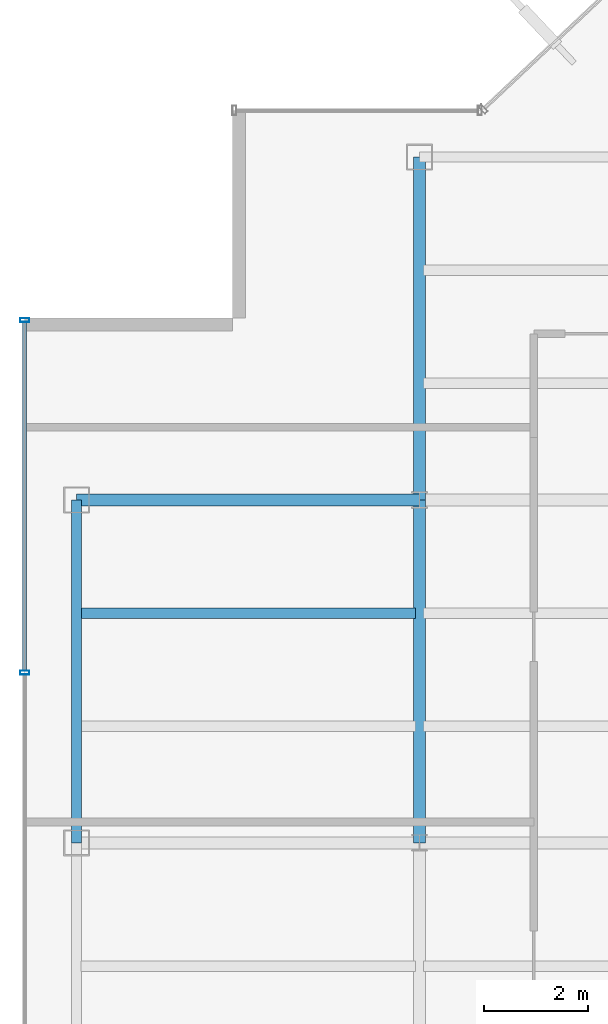
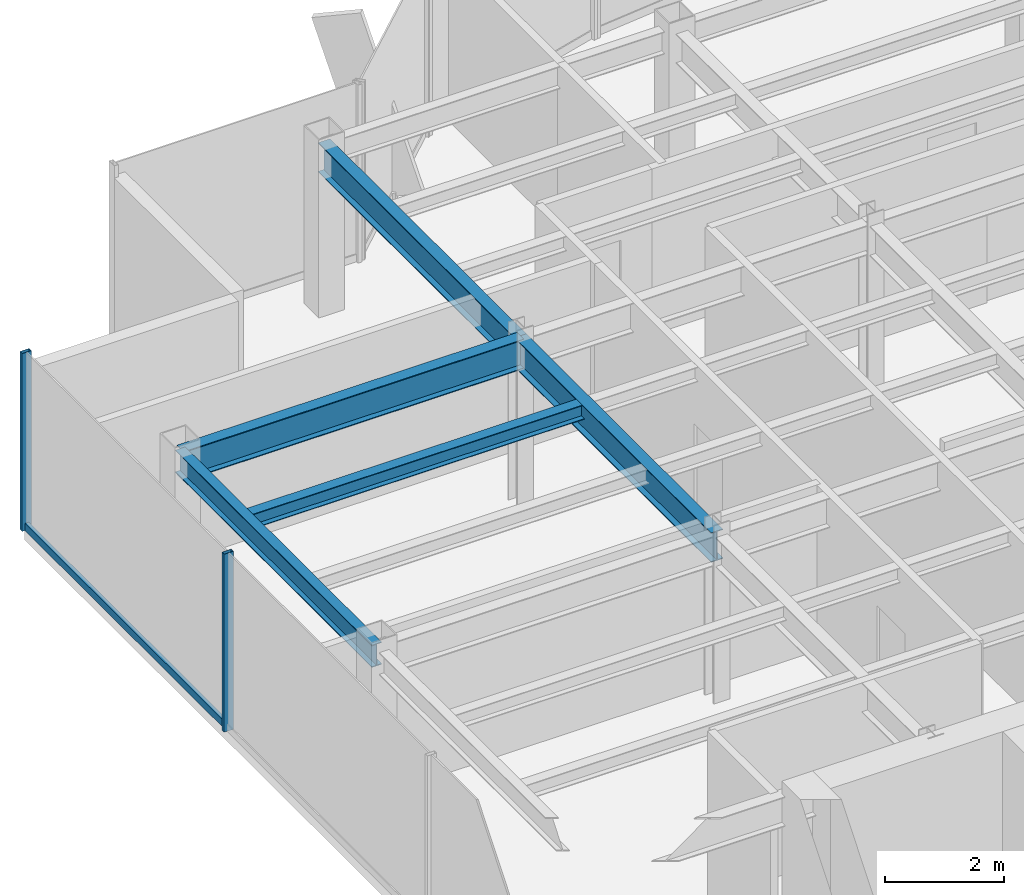
# One storey, part 7 of 22: 5 beams, 3 members, 1 element without a shape of its own.
"""IFC4 building model written with IfcOpenShell, lengths in metres."""

from ifc_helpers import new_model, si_unit, derived_unit, direction, frame, origin, origin_2d, place, context, subcontext, project, spatial, hollow_rectangle, i_section, extrude, source, transform, mapped, material, material_profile, profile_set, type_object, element, aggregate, save


model = new_model("IFC4")

# Units and contexts
model_context = context("Model", 3, precision=1e-05, world=origin(), true_north=direction((0.0, 1.0)))
body_context = subcontext(model_context, "Body", "Model", "MODEL_VIEW")
ifc_project = project(units=[si_unit("LENGTHUNIT", "METRE"), si_unit("AREAUNIT", "SQUARE_METRE"), si_unit("VOLUMEUNIT", "CUBIC_METRE"), si_unit("PLANEANGLEUNIT", "RADIAN"), si_unit("MASSUNIT", "GRAM", prefix="KILO"), derived_unit("THERMALTRANSMITTANCEUNIT", [(si_unit("POWERUNIT", "WATT"), 1), (si_unit("LENGTHUNIT", "METRE"), -2), (si_unit("THERMODYNAMICTEMPERATUREUNIT", "KELVIN"), -1)])], contexts=[model_context])

# Site, building, storey
site_placement = place(None, origin())
site = spatial("IfcSite", under=ifc_project, at=site_placement, CompositionType="ELEMENT")
building_placement = place(site_placement, origin())
building = spatial("IfcBuilding", under=site, at=building_placement, Name="Skarnbrae Concourse Arena and Tower", CompositionType="ELEMENT")
storey_placement = place(building_placement, frame((0.0, 0.0, 255.14990234375)))
storey = spatial("IfcBuildingStorey", under=building, at=storey_placement, Name="L66", CompositionType="ELEMENT", Elevation=255.14990234375)

# Beams
ifc_material_1 = material(Name="Steel CSA G40.21 350W", Category="steel")
ifc_material_profile_1 = material_profile(ifc_material_1, i_section(OverallWidth=0.22802734375, OverallDepth=0.60791015625, WebThickness=0.01123046875, FlangeThickness=0.017333984375, at=origin_2d()), Name="W610X113")
ifc_profile_set_1 = profile_set([ifc_material_profile_1], Name="Steel CSA G40.21 350W")
beam_type_1 = type_object("IfcBeamType", Name="BM-GIRD-W610X113", PredefinedType="BEAM", material=ifc_profile_set_1)
shared_shape_1 = source(origin(), body_context, "Body", "SweptSolid", [
    extrude(i_section(OverallWidth=0.22802734375, OverallDepth=0.60791015625, WebThickness=0.01123046875, FlangeThickness=0.017333984375, at=origin_2d()), origin(), (0.0, 0.0, 1.0), 6.60009765625),
])
for number, where, z_axis, x_axis, name in (
    (1, (1.0, 27.800048828125, 3.09619140625), (1.0, 0.0, 0.0), (0.0, 1.0, 0.0), "L66 Primary E-W girder Y27.8-1"),
    (2, (7.60009765625, 21.199951171875, 3.09619140625), (0.0, 1.0, 0.0), (-1.0, 0.0, 0.0), "L66 Primary N-S girder X7.6-2"),
):
    element("IfcBeam", number, at=place(storey_placement, frame(where, z_axis=z_axis, x_axis=x_axis)), inside=storey, type_object=beam_type_1, Name=name, PredefinedType="BEAM", context=body_context, shape_type="MappedRepresentation", body=[
        mapped(shared_shape_1, transform((0.0, 0.0, 0.0))),
    ])
ifc_material_profile_2 = material_profile(ifc_material_1, i_section(OverallWidth=0.19091796875, OverallDepth=0.4599609375, WebThickness=0.010009765625, FlangeThickness=0.01611328125, at=origin_2d()), Name="W460X82")
ifc_profile_set_2 = profile_set([ifc_material_profile_2], Name="Steel CSA G40.21 350W")
beam_type_2 = type_object("IfcBeamType", Name="BM-SPAN-W460X82", PredefinedType="SPANDREL", material=ifc_profile_set_2)
shared_shape_2 = source(origin(), body_context, "Body", "SweptSolid", [
    extrude(i_section(OverallWidth=0.19091796875, OverallDepth=0.4599609375, WebThickness=0.010009765625, FlangeThickness=0.01611328125, at=origin_2d()), origin(), (0.0, 0.0, 1.0), 6.60009765625),
])
beam_1_placement = place(storey_placement, frame((1.0, 21.199951171875, 3.170166015625), z_axis=(0.0, 1.0, 0.0), x_axis=(-1.0, 0.0, 0.0)))
element("IfcBeam", 3, at=beam_1_placement, inside=storey, type_object=beam_type_2, Name="L66 Perimeter spandrel X1.0-3", PredefinedType="SPANDREL", context=body_context, shape_type="MappedRepresentation", body=[
    mapped(shared_shape_2, transform((0.0, 0.0, 0.0))),
])
shared_shape_3 = source(origin(), body_context, "Body", "SweptSolid", [
    extrude(i_section(OverallWidth=0.22802734375, OverallDepth=0.60791015625, WebThickness=0.01123046875, FlangeThickness=0.017333984375, at=origin_2d()), origin(), (0.0, 0.0, 1.0), 6.599853515625),
])
beam_2_placement = place(storey_placement, frame((7.60009765625, 27.800048828125, 3.09619140625), z_axis=(0.0, 1.0, 0.0), x_axis=(-1.0, 0.0, 0.0)))
element("IfcBeam", 4, at=beam_2_placement, inside=storey, type_object=beam_type_1, Name="L66 Primary N-S girder X7.6-3", PredefinedType="BEAM", context=body_context, shape_type="MappedRepresentation", body=[
    mapped(shared_shape_3, transform((0.0, 0.0, 0.0))),
])
ifc_material_profile_3 = material_profile(ifc_material_1, i_section(OverallWidth=0.202880859375, OverallDepth=0.302978515625, WebThickness=0.007568359375, FlangeThickness=0.01318359375, at=origin_2d()), Name="W310X60")
ifc_profile_set_3 = profile_set([ifc_material_profile_3], Name="Steel CSA G40.21 350W")
beam_type_3 = type_object("IfcBeamType", Name="BM-JOIST-W310X60", PredefinedType="JOIST", material=ifc_profile_set_3)
shared_shape_4 = source(origin(), body_context, "Body", "SweptSolid", [
    extrude(i_section(OverallWidth=0.202880859375, OverallDepth=0.302978515625, WebThickness=0.007568359375, FlangeThickness=0.01318359375, at=origin_2d()), origin(), (0.0, 0.0, 1.0), 6.43994140625),
])
beam_3_placement = place(storey_placement, frame((1.080078125, 25.6220703125, 3.24853515625), z_axis=(1.0, 0.0, 0.0), x_axis=(0.0, 1.0, 0.0)))
element("IfcBeam", 5, at=beam_3_placement, inside=storey, type_object=beam_type_3, Name="L66 Secondary floor joist 2.2.1", PredefinedType="JOIST", context=body_context, shape_type="MappedRepresentation", body=[
    mapped(shared_shape_4, transform((0.0, 0.0, 0.0))),
])

# Curtain wall, members
ifc_material_2 = material(Name="Bronze anodised aluminium 6063-T6", Category="aluminium")
curtain_wall_type = type_object("IfcCurtainWallType", Name="CW-SYS-05-HIGHZONE", PredefinedType="USERDEFINED", material=ifc_material_2)
curtain_wall_placement = place(storey_placement, origin())
curtain_wall = element("IfcCurtainWall", 6, at=curtain_wall_placement, inside=storey, type_object=curtain_wall_type, Name="L66 Unitised curtain wall CW-L66-E18", ObjectType="UNITISED CURTAIN WALL", PredefinedType="USERDEFINED")
ifc_material_profile_4 = material_profile(ifc_material_2, hollow_rectangle(XDim=0.074951171875, YDim=0.14990234375, WallThickness=0.00390625, at=origin_2d()), Name="ALU-TRAN-75X150")
ifc_profile_set_4 = profile_set([ifc_material_profile_4], Name="Bronze anodised aluminium 6063-T6")
member_type_1 = type_object("IfcMemberType", Name="CWT-CW-05", PredefinedType="USERDEFINED", material=ifc_profile_set_4)
shared_shape_5 = source(origin(), body_context, "Body", "SweptSolid", [
    extrude(hollow_rectangle(XDim=0.074951171875, YDim=0.14990234375, WallThickness=0.00390625, at=origin_2d()), origin(), (0.0, 0.0, 1.0), 6.712646484375),
])
member_1_placement = place(storey_placement, frame((0.0, 31.22509765625, 0.0751953125), z_axis=(0.0, -1.0, 0.0), x_axis=(1.0, 0.0, 0.0)))
member_1 = element("IfcMember", 7, at=member_1_placement, type_object=member_type_1, Name="CW-L66-E18 Transom 1", ObjectType="TRANSOM", PredefinedType="USERDEFINED", context=body_context, shape_type="MappedRepresentation", body=[
    mapped(shared_shape_5, transform((0.0, 0.0, 0.0))),
])
ifc_material_profile_5 = material_profile(ifc_material_2, hollow_rectangle(XDim=0.074951171875, YDim=0.179931640625, WallThickness=0.00390625, at=origin_2d()), Name="ALU-MULL-75X180")
ifc_profile_set_5 = profile_set([ifc_material_profile_5], Name="Bronze anodised aluminium 6063-T6")
member_type_2 = type_object("IfcMemberType", Name="CWM-CW-05", PredefinedType="MULLION", material=ifc_profile_set_5)
shared_shape_6 = source(origin(), body_context, "Body", "SweptSolid", [
    extrude(hollow_rectangle(XDim=0.074951171875, YDim=0.179931640625, WallThickness=0.00390625, at=origin_2d()), origin(), (0.0, 0.0, 1.0), 3.650146484375),
])
member_2_placement = place(storey_placement, frame((0.0, 31.262451171875, 0.0), z_axis=(0.0, 0.0, 1.0), x_axis=(0.0, -1.0, 0.0)))
member_2 = element("IfcMember", 8, at=member_2_placement, type_object=member_type_2, Name="CW-L66-E18 Mullion 1", PredefinedType="MULLION", context=body_context, shape_type="MappedRepresentation", body=[
    mapped(shared_shape_6, transform((0.0, 0.0, 0.0))),
])
member_3_placement = place(storey_placement, frame((0.0, 24.47509765625, 0.0), z_axis=(0.0, 0.0, 1.0), x_axis=(0.0, -1.0, 0.0)))
member_3 = element("IfcMember", 9, at=member_3_placement, type_object=member_type_2, Name="CW-L66-E18 Mullion 2", PredefinedType="MULLION", context=body_context, shape_type="MappedRepresentation", body=[
    mapped(shared_shape_6, transform((0.0, 0.0, 0.0))),
])
aggregate(curtain_wall, [member_2, member_3, member_1])

save(model, "model.ifc")
